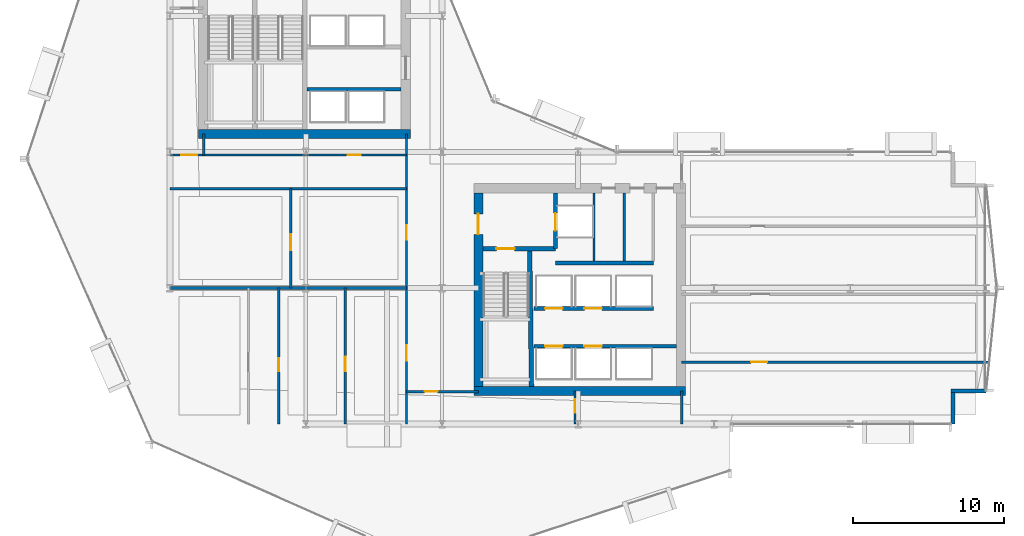
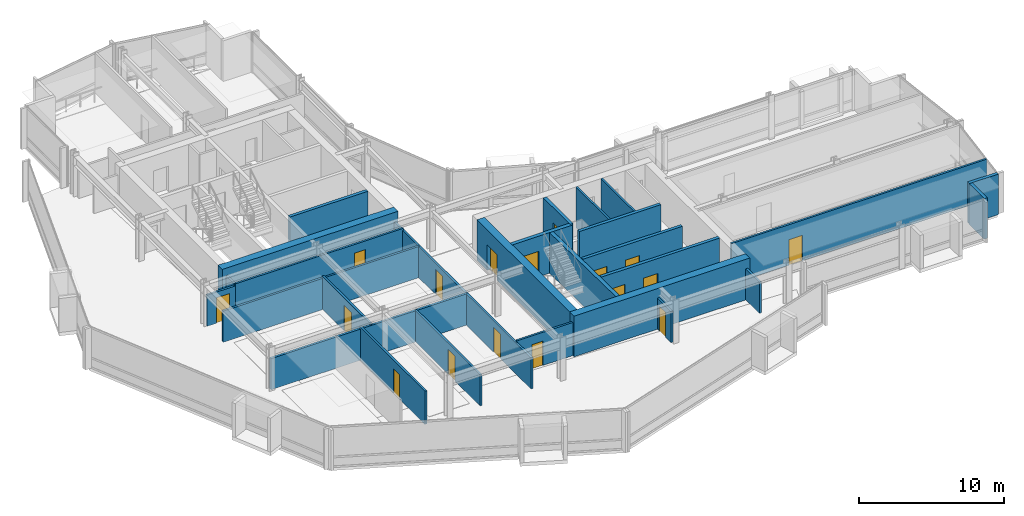
# One storey, part 27 of 34: 27 walls, 17 doors, 17 openings.
"""IFC4 building model written with IfcOpenShell, lengths in metres."""

from ifc_helpers import new_model, si_unit, direction, frame, frame_2d, origin, place, context, subcontext, project, spatial, rectangle, extrude, material, layer, layer_set, type_object, element, fill, save


model = new_model("IFC4")

# Units and contexts
model_context = context("Model", 3, precision=1e-05, world=origin(), true_north=direction((0.0, 1.0)))
body_context = subcontext(model_context, "Body", "Model", "MODEL_VIEW")
ifc_project = project(units=[si_unit("LENGTHUNIT", "METRE"), si_unit("AREAUNIT", "SQUARE_METRE"), si_unit("VOLUMEUNIT", "CUBIC_METRE"), si_unit("PLANEANGLEUNIT", "RADIAN"), si_unit("MASSUNIT", "GRAM", prefix="KILO")], contexts=[model_context])

# Site, building, storey
site_placement = place(None, origin())
site = spatial("IfcSite", under=ifc_project, at=site_placement, CompositionType="ELEMENT")
building_placement = place(site_placement, origin())
building = spatial("IfcBuilding", under=site, at=building_placement, Name="Solvaryn Broadcast Tower", CompositionType="ELEMENT")
storey_placement = place(building_placement, frame((0.0, 0.0, 47.10009765625)))
storey = spatial("IfcBuildingStorey", under=building, at=storey_placement, Name="L10", CompositionType="ELEMENT", Elevation=47.10009765625)

# Walls
ifc_material_1 = material(Name="Concrete f'c 70 MPa", Category="concrete")
ifc_layer_1 = layer(ifc_material_1, 0.60009765625)
ifc_layer_set_1 = layer_set([ifc_layer_1], Name="CW-SHEAR-600")
wall_type_1 = type_object("IfcWallType", Name="CW-SHEAR-600", PredefinedType="SHEAR", material=ifc_layer_set_1)
for number, where, z_axis, x_axis, name in (
    (1, (10.89990234375, 28.199951171875, 0.0), (0.0, 0.0, 1.0), (1.0, 0.0, 0.0), "L10 West Core South Shear Wall"),
    (2, (29.10009765625, 11.199951171875, 0.0), (0.0, 0.0, 1.0), (1.0, 0.0, 0.0), "L10 East Core South Shear Wall"),
):
    element("IfcWall", number, at=place(storey_placement, frame(where, z_axis=z_axis, x_axis=x_axis)), inside=storey, type_object=wall_type_1, Name=name, PredefinedType="SHEAR", context=body_context, shape_type="SweptSolid", body=[
        extrude(rectangle(XDim=14.0, YDim=0.60009765625, at=frame_2d((7.0, 0.0))), origin(), (0.0, 0.0, 1.0), 3.419921875),
    ])

# Wall, opening, door
wall_1_placement = place(storey_placement, frame((29.39990234375, 24.300048828125, 0.0), z_axis=(0.0, 0.0, 1.0), x_axis=(0.0, -1.0, 0.0)))
wall_1 = element("IfcWall", 3, at=wall_1_placement, inside=storey, type_object=wall_type_1, Name="L10 East Core West Shear Wall", PredefinedType="SHEAR", context=body_context, shape_type="SweptSolid", body=[
    extrude(rectangle(XDim=12.800048828125, YDim=0.60009765625, at=frame_2d((6.39990234375, 0.0))), origin(), (0.0, 0.0, 1.0), 3.419921875),
])
opening_1_placement = place(wall_1_placement, frame((1.39990234375, 0.0, 0.0)))
opening_1 = element("IfcOpeningElement", 4, at=opening_1_placement, cuts=wall_1, Name="Opening FD90B", PredefinedType="OPENING", context=body_context, shape_type="SweptSolid", body=[
    extrude(rectangle(XDim=1.35009765625, YDim=2.14990234375, at=frame_2d((0.675048828125, 1.074951171875))), frame((0.0, 0.31005859375, 0.0), z_axis=(0.0, -1.0, 0.0), x_axis=(1.0, 0.0, 0.0)), (0.0, 0.0, 1.0), 0.6201171875),
])
ifc_material_2 = material(Name="Flush Acoustic Steel and Timber Door Assembly", Category="steel")
door_type_1 = type_object("IfcDoorType", Name="FD90-LOBBY-1350X2150", OperationType="NOTDEFINED", PredefinedType="DOOR", material=ifc_material_2)
door_1_placement = place(opening_1_placement, origin())
door_1 = element("IfcDoor", 5, at=door_1_placement, inside=storey, type_object=door_type_1, Name="L10 East FSAE Lobby Door", OperationType="SINGLE_SWING_RIGHT", OverallHeight=2.14990234375, OverallWidth=1.35009765625, PredefinedType="DOOR", context=body_context, shape_type="SweptSolid", body=[
    extrude(rectangle(XDim=1.35009765625, YDim=2.14990234375, at=frame_2d((0.675048828125, 1.074951171875))), frame((0.0, 0.02490234375, 0.0), z_axis=(0.0, -1.0, 0.0), x_axis=(1.0, 0.0, 0.0)), (0.0, 0.0, 1.0), 0.050048828125),
])
fill(opening_1, door_1)

# Walls
ifc_material_3 = material(Name="Concrete f'c 50 MPa", Category="concrete")
ifc_layer_2 = layer(ifc_material_3, 0.260009765625)
ifc_layer_set_2 = layer_set([ifc_layer_2], Name="EW-PIER-260")
wall_type_2 = type_object("IfcWallType", Name="EW-PIER-260", PredefinedType="SOLIDWALL", material=ifc_layer_set_2)
wall_2_placement = place(storey_placement, frame((60.800048828125, 9.0, 0.0), z_axis=(0.0, 0.0, 1.0), x_axis=(0.0, 1.0, 0.0)))
element("IfcWall", 6, at=wall_2_placement, inside=storey, type_object=wall_type_2, Name="L10 Notched Corner Pier Wall NSE1", PredefinedType="SOLIDWALL", context=body_context, shape_type="SweptSolid", body=[
    extrude(rectangle(XDim=2.080078125, YDim=0.260009765625, at=frame_2d((1.0400390625, 0.0))), origin(), (0.0, 0.0, 1.0), 3.419921875),
])
wall_3_placement = place(storey_placement, frame((60.679931640625, 11.199951171875, 0.0), z_axis=(0.0, 0.0, 1.0), x_axis=(1.0, 0.0, 0.0)))
element("IfcWall", 7, at=wall_3_placement, inside=storey, type_object=wall_type_2, Name="L10 Notched Corner Pier Wall NSE2", PredefinedType="SOLIDWALL", context=body_context, shape_type="SweptSolid", body=[
    extrude(rectangle(XDim=2.320068359375, YDim=0.260009765625, at=frame_2d((1.16015625, 0.0))), origin(), (0.0, 0.0, 1.0), 3.419921875),
])
ifc_material_4 = material(Name="Metal-Stud Service Core Partition")
ifc_layer_3 = layer(ifc_material_4, 0.14990234375)
ifc_layer_set_3 = layer_set([ifc_layer_3], Name="IW-PART-150")
wall_type_3 = type_object("IfcWallType", Name="IW-PART-150", PredefinedType="PARTITIONING", material=ifc_layer_set_3)
for number, where, z_axis, x_axis, name in (
    (8, (37.050048828125, 19.780029296875, 0.0), (0.0, 0.0, 1.0), (0.0, 1.0, 0.0), "L10 Interior Partition IW-L10-CE-FL2E"),
    (9, (39.050048828125, 19.780029296875, 0.0), (0.0, 0.0, 1.0), (0.0, 1.0, 0.0), "L10 Interior Partition IW-L10-CE-V1"),
):
    element("IfcWall", number, at=place(storey_placement, frame(where, z_axis=z_axis, x_axis=x_axis)), inside=storey, type_object=wall_type_3, Name=name, PredefinedType="PARTITIONING", context=body_context, shape_type="SweptSolid", body=[
        extrude(rectangle(XDim=4.52001953125, YDim=0.14990234375, at=frame_2d((2.260009765625, 0.0))), origin(), (0.0, 0.0, 1.0), 3.419921875),
    ])

# Wall, opening, door
wall_4_placement = place(storey_placement, frame((35.800048828125, 9.0, 0.0), z_axis=(0.0, 0.0, 1.0), x_axis=(0.0, 1.0, 0.0)))
wall_4 = element("IfcWall", 10, at=wall_4_placement, inside=storey, type_object=wall_type_3, Name="L10 Interior Partition IW-L10-SC-V", PredefinedType="PARTITIONING", context=body_context, shape_type="SweptSolid", body=[
    extrude(rectangle(XDim=2.199951171875, YDim=0.14990234375, at=frame_2d((1.10009765625, 0.0))), origin(), (0.0, 0.0, 1.0), 2.626953125),
])
opening_2_placement = place(wall_4_placement, frame((0.75, 0.0, 0.0)))
opening_2 = element("IfcOpeningElement", 11, at=opening_2_placement, cuts=wall_4, Name="Opening FD60C", PredefinedType="OPENING", context=body_context, shape_type="SweptSolid", body=[
    extrude(rectangle(XDim=0.89990234375, YDim=2.10009765625, at=frame_2d((0.449951171875, 1.050048828125))), frame((0.0, 0.0849609375, 0.0), z_axis=(0.0, -1.0, 0.0), x_axis=(1.0, 0.0, 0.0)), (0.0, 0.0, 1.0), 0.169921875),
])
ifc_material_5 = material(Name="Flush Acoustic Steel and Timber Door Assembly", Category="steel")
door_type_2 = type_object("IfcDoorType", Name="FD60-SERV-900X2100", OperationType="NOTDEFINED", PredefinedType="DOOR", material=ifc_material_5)
door_2_placement = place(opening_2_placement, origin())
door_2 = element("IfcDoor", 12, at=door_2_placement, inside=storey, type_object=door_type_2, Name="L10 Door DR-L10-SC1", OperationType="SINGLE_SWING_RIGHT", OverallHeight=2.10009765625, OverallWidth=0.89990234375, PredefinedType="DOOR", context=body_context, shape_type="SweptSolid", body=[
    extrude(rectangle(XDim=0.89990234375, YDim=2.10009765625, at=frame_2d((0.449951171875, 1.050048828125))), frame((0.0, 0.02490234375, 0.0), z_axis=(0.0, -1.0, 0.0), x_axis=(1.0, 0.0, 0.0)), (0.0, 0.0, 1.0), 0.050048828125),
])
fill(opening_2, door_2)

ifc_material_6 = material(Name="Metal-Stud Gypsum Office Partition")
ifc_layer_4 = layer(ifc_material_6, 0.159912109375)
ifc_layer_set_4 = layer_set([ifc_layer_4], Name="IW-PART-160")
wall_type_4 = type_object("IfcWallType", Name="IW-PART-160", PredefinedType="PARTITIONING", material=ifc_layer_set_4)
wall_5_placement = place(storey_placement, frame((9.0, 26.800048828125, 0.0), z_axis=(0.0, 0.0, 1.0), x_axis=(1.0, 0.0, 0.0)))
wall_5 = element("IfcWall", 13, at=wall_5_placement, inside=storey, type_object=wall_type_4, Name="L10 Interior Partition IW-L10-WM-S", PredefinedType="PARTITIONING", context=body_context, shape_type="SweptSolid", body=[
    extrude(rectangle(XDim=2.25, YDim=0.159912109375, at=frame_2d((1.125, 0.0))), origin(), (0.0, 0.0, 1.0), 2.626953125),
])
opening_3_placement = place(wall_5_placement, frame((0.75, 0.0, 0.0)))
opening_3 = element("IfcOpeningElement", 14, at=opening_3_placement, cuts=wall_5, Name="Opening ID03", PredefinedType="OPENING", context=body_context, shape_type="SweptSolid", body=[
    extrude(rectangle(XDim=1.050048828125, YDim=2.14990234375, at=frame_2d((0.52490234375, 1.074951171875))), frame((0.0, 0.090087890625, 0.0), z_axis=(0.0, -1.0, 0.0), x_axis=(1.0, 0.0, 0.0)), (0.0, 0.0, 1.0), 0.179931640625),
])
ifc_material_7 = material(Name="Flush Acoustic Steel and Timber Door Assembly", Category="steel")
door_type_3 = type_object("IfcDoorType", Name="ID-03-1050X2150", OperationType="NOTDEFINED", PredefinedType="DOOR", material=ifc_material_7)
door_3_placement = place(opening_3_placement, origin())
door_3 = element("IfcDoor", 15, at=door_3_placement, inside=storey, type_object=door_type_3, Name="L10 Door DR-L10-WM0", OperationType="SINGLE_SWING_LEFT", OverallHeight=2.14990234375, OverallWidth=1.050048828125, PredefinedType="DOOR", context=body_context, shape_type="SweptSolid", body=[
    extrude(rectangle(XDim=1.050048828125, YDim=2.14990234375, at=frame_2d((0.52490234375, 1.074951171875))), frame((0.0, 0.02490234375, 0.0), z_axis=(0.0, -1.0, 0.0), x_axis=(1.0, 0.0, 0.0)), (0.0, 0.0, 1.0), 0.050048828125),
])
fill(opening_3, door_3)

# Wall, openings, doors
wall_6_placement = place(storey_placement, frame((24.64990234375, 9.0, 0.0), z_axis=(0.0, 0.0, 1.0), x_axis=(0.0, 1.0, 0.0)))
wall_6 = element("IfcWall", 16, at=wall_6_placement, inside=storey, type_object=wall_type_4, Name="L10 Interior Partition IW-L10-SW-EB", PredefinedType="PARTITIONING", context=body_context, shape_type="SweptSolid", body=[
    extrude(rectangle(XDim=19.199951171875, YDim=0.159912109375, at=frame_2d((9.60009765625, 0.0))), origin(), (0.0, 0.0, 1.0), 2.626953125),
])
opening_4_placement = place(wall_6_placement, frame((12.199951171875, 0.0, 0.0)))
opening_4 = element("IfcOpeningElement", 17, at=opening_4_placement, cuts=wall_6, Name="Opening ID01", PredefinedType="OPENING", context=body_context, shape_type="SweptSolid", body=[
    extrude(rectangle(XDim=0.949951171875, YDim=2.10009765625, at=frame_2d((0.47509765625, 1.050048828125))), frame((0.0, 0.090087890625, 0.0), z_axis=(0.0, -1.0, 0.0), x_axis=(1.0, 0.0, 0.0)), (0.0, 0.0, 1.0), 0.179931640625),
])
opening_5_placement = place(wall_6_placement, frame((4.199951171875, 0.0, 0.0)))
opening_5 = element("IfcOpeningElement", 18, at=opening_5_placement, cuts=wall_6, Name="Opening ID02", PredefinedType="OPENING", context=body_context, shape_type="SweptSolid", body=[
    extrude(rectangle(XDim=1.0, YDim=2.10009765625, at=frame_2d((0.5, 1.050048828125))), frame((0.0, 0.090087890625, 0.0), z_axis=(0.0, -1.0, 0.0), x_axis=(1.0, 0.0, 0.0)), (0.0, 0.0, 1.0), 0.179931640625),
])
ifc_material_8 = material(Name="Flush Acoustic Steel and Timber Door Assembly", Category="steel")
door_type_4 = type_object("IfcDoorType", Name="ID-01-950X2100", OperationType="NOTDEFINED", PredefinedType="DOOR", material=ifc_material_8)
door_4_placement = place(opening_4_placement, origin())
door_4 = element("IfcDoor", 19, at=door_4_placement, inside=storey, type_object=door_type_4, Name="L10 Door DR-L10-SW-EN", OperationType="SINGLE_SWING_RIGHT", OverallHeight=2.10009765625, OverallWidth=0.949951171875, PredefinedType="DOOR", context=body_context, shape_type="SweptSolid", body=[
    extrude(rectangle(XDim=0.949951171875, YDim=2.10009765625, at=frame_2d((0.47509765625, 1.050048828125))), frame((0.0, 0.02490234375, 0.0), z_axis=(0.0, -1.0, 0.0), x_axis=(1.0, 0.0, 0.0)), (0.0, 0.0, 1.0), 0.050048828125),
])
fill(opening_4, door_4)
ifc_material_9 = material(Name="Flush Acoustic Steel and Timber Door Assembly", Category="steel")
door_type_5 = type_object("IfcDoorType", Name="ID-02-1000X2100", OperationType="NOTDEFINED", PredefinedType="DOOR", material=ifc_material_9)
door_5_placement = place(opening_5_placement, origin())
door_5 = element("IfcDoor", 20, at=door_5_placement, inside=storey, type_object=door_type_5, Name="L10 Door DR-L10-SW-ES", OperationType="SINGLE_SWING_LEFT", OverallHeight=2.10009765625, OverallWidth=1.0, PredefinedType="DOOR", context=body_context, shape_type="SweptSolid", body=[
    extrude(rectangle(XDim=1.0, YDim=2.10009765625, at=frame_2d((0.5, 1.050048828125))), frame((0.0, 0.02490234375, 0.0), z_axis=(0.0, -1.0, 0.0), x_axis=(1.0, 0.0, 0.0)), (0.0, 0.0, 1.0), 0.050048828125),
])
fill(opening_5, door_5)

# Wall
wall_7_placement = place(storey_placement, frame((9.0, 24.580078125, 0.0), z_axis=(0.0, 0.0, 1.0), x_axis=(1.0, 0.0, 0.0)))
element("IfcWall", 21, at=wall_7_placement, inside=storey, type_object=wall_type_4, Name="L10 Interior Partition IW-L10-SW-NB", PredefinedType="PARTITIONING", context=body_context, shape_type="SweptSolid", body=[
    extrude(rectangle(XDim=15.64990234375, YDim=0.159912109375, at=frame_2d((7.824951171875, 0.0))), origin(), (0.0, 0.0, 1.0), 2.626953125),
])

# Wall, opening, door
wall_8_placement = place(storey_placement, frame((11.25, 26.800048828125, 0.0), z_axis=(0.0, 0.0, 1.0), x_axis=(1.0, 0.0, 0.0)))
wall_8 = element("IfcWall", 22, at=wall_8_placement, inside=storey, type_object=wall_type_4, Name="L10 Interior Partition IW-L10-SW-N2", PredefinedType="PARTITIONING", context=body_context, shape_type="SweptSolid", body=[
    extrude(rectangle(XDim=13.39990234375, YDim=0.159912109375, at=frame_2d((6.699951171875, 0.0))), origin(), (0.0, 0.0, 1.0), 2.788818359375),
])
opening_6_placement = place(wall_8_placement, frame((9.5, 0.0, 0.0)))
opening_6 = element("IfcOpeningElement", 23, at=opening_6_placement, cuts=wall_8, Name="Opening ID07", PredefinedType="OPENING", context=body_context, shape_type="SweptSolid", body=[
    extrude(rectangle(XDim=0.860107421875, YDim=2.050048828125, at=frame_2d((0.43017578125, 1.02490234375))), frame((0.0, 0.090087890625, 0.0), z_axis=(0.0, -1.0, 0.0), x_axis=(1.0, 0.0, 0.0)), (0.0, 0.0, 1.0), 0.179931640625),
])
ifc_material_10 = material(Name="Flush Acoustic Steel and Timber Door Assembly", Category="steel")
door_type_6 = type_object("IfcDoorType", Name="ID-07-860X2050", OperationType="NOTDEFINED", PredefinedType="DOOR", material=ifc_material_10)
door_6_placement = place(opening_6_placement, origin())
door_6 = element("IfcDoor", 24, at=door_6_placement, inside=storey, type_object=door_type_6, Name="L10 Door DR-L10-SW-ALC", OperationType="SINGLE_SWING_LEFT", OverallHeight=2.050048828125, OverallWidth=0.860107421875, PredefinedType="DOOR", context=body_context, shape_type="SweptSolid", body=[
    extrude(rectangle(XDim=0.860107421875, YDim=2.050048828125, at=frame_2d((0.43017578125, 1.02490234375))), frame((0.0, 0.02490234375, 0.0), z_axis=(0.0, -1.0, 0.0), x_axis=(1.0, 0.0, 0.0)), (0.0, 0.0, 1.0), 0.050048828125),
])
fill(opening_6, door_6)

# Wall
wall_9_placement = place(storey_placement, frame((11.25, 26.800048828125, 0.0), z_axis=(0.0, 0.0, 1.0), x_axis=(0.0, 1.0, 0.0)))
element("IfcWall", 25, at=wall_9_placement, inside=storey, type_object=wall_type_4, Name="L10 Interior Partition IW-L10-SW-ALW", PredefinedType="PARTITIONING", context=body_context, shape_type="SweptSolid", body=[
    extrude(rectangle(XDim=1.39990234375, YDim=0.159912109375, at=frame_2d((0.699951171875, 0.0))), origin(), (0.0, 0.0, 1.0), 2.788818359375),
])

# Wall, opening, door
wall_10_placement = place(storey_placement, frame((17.0, 18.0, 0.0), z_axis=(0.0, 0.0, 1.0), x_axis=(0.0, 1.0, 0.0)))
wall_10 = element("IfcWall", 26, at=wall_10_placement, inside=storey, type_object=wall_type_4, Name="L10 Interior Partition IW-L10-SWN-V1", PredefinedType="PARTITIONING", context=body_context, shape_type="SweptSolid", body=[
    extrude(rectangle(XDim=6.580078125, YDim=0.159912109375, at=frame_2d((3.2900390625, 0.0))), origin(), (0.0, 0.0, 1.0), 2.788818359375),
])
opening_7_placement = place(wall_10_placement, frame((2.5, 0.0, 0.0)))
opening_7 = element("IfcOpeningElement", 27, at=opening_7_placement, cuts=wall_10, Name="Opening ID03", PredefinedType="OPENING", context=body_context, shape_type="SweptSolid", body=[
    extrude(rectangle(XDim=1.050048828125, YDim=2.14990234375, at=frame_2d((0.52490234375, 1.074951171875))), frame((0.0, 0.090087890625, 0.0), z_axis=(0.0, -1.0, 0.0), x_axis=(1.0, 0.0, 0.0)), (0.0, 0.0, 1.0), 0.179931640625),
])
door_7_placement = place(opening_7_placement, origin())
door_7 = element("IfcDoor", 28, at=door_7_placement, inside=storey, type_object=door_type_3, Name="L10 Door DR-L10-SWN-1", OperationType="SINGLE_SWING_RIGHT", OverallHeight=2.14990234375, OverallWidth=1.050048828125, PredefinedType="DOOR", context=body_context, shape_type="SweptSolid", body=[
    extrude(rectangle(XDim=1.050048828125, YDim=2.14990234375, at=frame_2d((0.52490234375, 1.074951171875))), frame((0.0, 0.02490234375, 0.0), z_axis=(0.0, -1.0, 0.0), x_axis=(1.0, 0.0, 0.0)), (0.0, 0.0, 1.0), 0.050048828125),
])
fill(opening_7, door_7)

wall_11_placement = place(storey_placement, frame((16.199951171875, 9.0, 0.0), z_axis=(0.0, 0.0, 1.0), x_axis=(0.0, 1.0, 0.0)))
wall_11 = element("IfcWall", 29, at=wall_11_placement, inside=storey, type_object=wall_type_4, Name="L10 Interior Partition IW-L10-SWS-V2", PredefinedType="PARTITIONING", context=body_context, shape_type="SweptSolid", body=[
    extrude(rectangle(XDim=9.0, YDim=0.159912109375, at=frame_2d((4.5, 0.0))), origin(), (0.0, 0.0, 1.0), 2.788818359375),
])
opening_8_placement = place(wall_11_placement, frame((3.5, 0.0, 0.0)))
opening_8 = element("IfcOpeningElement", 30, at=opening_8_placement, cuts=wall_11, Name="Opening ID07", PredefinedType="OPENING", context=body_context, shape_type="SweptSolid", body=[
    extrude(rectangle(XDim=0.860107421875, YDim=2.050048828125, at=frame_2d((0.43017578125, 1.02490234375))), frame((0.0, 0.090087890625, 0.0), z_axis=(0.0, -1.0, 0.0), x_axis=(1.0, 0.0, 0.0)), (0.0, 0.0, 1.0), 0.179931640625),
])
door_8_placement = place(opening_8_placement, origin())
door_8 = element("IfcDoor", 31, at=door_8_placement, inside=storey, type_object=door_type_6, Name="L10 Door DR-L10-SWS-2", OperationType="SINGLE_SWING_RIGHT", OverallHeight=2.050048828125, OverallWidth=0.860107421875, PredefinedType="DOOR", context=body_context, shape_type="SweptSolid", body=[
    extrude(rectangle(XDim=0.860107421875, YDim=2.050048828125, at=frame_2d((0.43017578125, 1.02490234375))), frame((0.0, 0.02490234375, 0.0), z_axis=(0.0, -1.0, 0.0), x_axis=(1.0, 0.0, 0.0)), (0.0, 0.0, 1.0), 0.050048828125),
])
fill(opening_8, door_8)

wall_12_placement = place(storey_placement, frame((20.60009765625, 9.0, 0.0), z_axis=(0.0, 0.0, 1.0), x_axis=(0.0, 1.0, 0.0)))
wall_12 = element("IfcWall", 32, at=wall_12_placement, inside=storey, type_object=wall_type_4, Name="L10 Interior Partition IW-L10-SWS-V3", PredefinedType="PARTITIONING", context=body_context, shape_type="SweptSolid", body=[
    extrude(rectangle(XDim=9.0, YDim=0.159912109375, at=frame_2d((4.5, 0.0))), origin(), (0.0, 0.0, 1.0), 2.626953125),
])
opening_9_placement = place(wall_12_placement, frame((3.5, 0.0, 0.0)))
opening_9 = element("IfcOpeningElement", 33, at=opening_9_placement, cuts=wall_12, Name="Opening ID01", PredefinedType="OPENING", context=body_context, shape_type="SweptSolid", body=[
    extrude(rectangle(XDim=0.949951171875, YDim=2.10009765625, at=frame_2d((0.47509765625, 1.050048828125))), frame((0.0, 0.090087890625, 0.0), z_axis=(0.0, -1.0, 0.0), x_axis=(1.0, 0.0, 0.0)), (0.0, 0.0, 1.0), 0.179931640625),
])
door_9_placement = place(opening_9_placement, origin())
door_9 = element("IfcDoor", 34, at=door_9_placement, inside=storey, type_object=door_type_4, Name="L10 Door DR-L10-SWS-3", OperationType="SINGLE_SWING_LEFT", OverallHeight=2.10009765625, OverallWidth=0.949951171875, PredefinedType="DOOR", context=body_context, shape_type="SweptSolid", body=[
    extrude(rectangle(XDim=0.949951171875, YDim=2.10009765625, at=frame_2d((0.47509765625, 1.050048828125))), frame((0.0, 0.02490234375, 0.0), z_axis=(0.0, -1.0, 0.0), x_axis=(1.0, 0.0, 0.0)), (0.0, 0.0, 1.0), 0.050048828125),
])
fill(opening_9, door_9)

wall_13_placement = place(storey_placement, frame((24.64990234375, 11.14990234375, 0.0), z_axis=(0.0, 0.0, 1.0), x_axis=(1.0, 0.0, 0.0)))
wall_13 = element("IfcWall", 35, at=wall_13_placement, inside=storey, type_object=wall_type_4, Name="L10 Interior Partition IW-L10-SC-N", PredefinedType="PARTITIONING", context=body_context, shape_type="SweptSolid", body=[
    extrude(rectangle(XDim=4.75, YDim=0.159912109375, at=frame_2d((2.375, 0.0))), origin(), (0.0, 0.0, 1.0), 2.7919921875),
])
opening_10_placement = place(wall_13_placement, frame((1.199951171875, 0.0, 0.0)))
opening_10 = element("IfcOpeningElement", 36, at=opening_10_placement, cuts=wall_13, Name="Opening ID07", PredefinedType="OPENING", context=body_context, shape_type="SweptSolid", body=[
    extrude(rectangle(XDim=0.860107421875, YDim=2.050048828125, at=frame_2d((0.43017578125, 1.02490234375))), frame((0.0, 0.090087890625, 0.0), z_axis=(0.0, -1.0, 0.0), x_axis=(1.0, 0.0, 0.0)), (0.0, 0.0, 1.0), 0.179931640625),
])
door_10_placement = place(opening_10_placement, origin())
door_10 = element("IfcDoor", 37, at=door_10_placement, inside=storey, type_object=door_type_6, Name="L10 Door DR-L10-SC0", OperationType="SINGLE_SWING_LEFT", OverallHeight=2.050048828125, OverallWidth=0.860107421875, PredefinedType="DOOR", context=body_context, shape_type="SweptSolid", body=[
    extrude(rectangle(XDim=0.860107421875, YDim=2.050048828125, at=frame_2d((0.43017578125, 1.02490234375))), frame((0.0, 0.02490234375, 0.0), z_axis=(0.0, -1.0, 0.0), x_axis=(1.0, 0.0, 0.0)), (0.0, 0.0, 1.0), 0.050048828125),
])
fill(opening_10, door_10)

# Wall
wall_14_placement = place(storey_placement, frame((42.85009765625, 9.0, 0.0), z_axis=(0.0, 0.0, 1.0), x_axis=(0.0, 1.0, 0.0)))
element("IfcWall", 38, at=wall_14_placement, inside=storey, type_object=wall_type_4, Name="L10 Interior Partition IW-L10-SC-E", PredefinedType="PARTITIONING", context=body_context, shape_type="SweptSolid", body=[
    extrude(rectangle(XDim=2.199951171875, YDim=0.159912109375, at=frame_2d((1.10009765625, 0.0))), origin(), (0.0, 0.0, 1.0), 2.626953125),
])

# Wall, opening, door
wall_15_placement = place(storey_placement, frame((42.85009765625, 13.10009765625, 0.0), z_axis=(0.0, 0.0, 1.0), x_axis=(1.0, 0.0, 0.0)))
wall_15 = element("IfcWall", 39, at=wall_15_placement, inside=storey, type_object=wall_type_4, Name="L10 Interior Partition IW-L10-EW-H1", PredefinedType="PARTITIONING", context=body_context, shape_type="SweptSolid", body=[
    extrude(rectangle(XDim=20.345947265625, YDim=0.159912109375, at=frame_2d((10.1728515625, 0.0))), origin(), (0.0, 0.0, 1.0), 3.419921875),
])
opening_11_placement = place(wall_15_placement, frame((4.60009765625, 0.0, 0.0)))
opening_11 = element("IfcOpeningElement", 40, at=opening_11_placement, cuts=wall_15, Name="Opening ID03", PredefinedType="OPENING", context=body_context, shape_type="SweptSolid", body=[
    extrude(rectangle(XDim=1.050048828125, YDim=2.14990234375, at=frame_2d((0.52490234375, 1.074951171875))), frame((0.0, 0.090087890625, 0.0), z_axis=(0.0, -1.0, 0.0), x_axis=(1.0, 0.0, 0.0)), (0.0, 0.0, 1.0), 0.179931640625),
])
door_11_placement = place(opening_11_placement, origin())
door_11 = element("IfcDoor", 41, at=door_11_placement, inside=storey, type_object=door_type_3, Name="L10 Door DR-L10-EW-1", OperationType="SINGLE_SWING_RIGHT", OverallHeight=2.14990234375, OverallWidth=1.050048828125, PredefinedType="DOOR", context=body_context, shape_type="SweptSolid", body=[
    extrude(rectangle(XDim=1.050048828125, YDim=2.14990234375, at=frame_2d((0.52490234375, 1.074951171875))), frame((0.0, 0.02490234375, 0.0), z_axis=(0.0, -1.0, 0.0), x_axis=(1.0, 0.0, 0.0)), (0.0, 0.0, 1.0), 0.050048828125),
])
fill(opening_11, door_11)

# Walls
ifc_material_11 = material(Name="Acoustic Metal-Stud Gypsum Partition")
ifc_layer_5 = layer(ifc_material_11, 0.179931640625)
ifc_layer_set_5 = layer_set([ifc_layer_5], Name="IW-PART-180")
wall_type_5 = type_object("IfcWallType", Name="IW-PART-180", PredefinedType="PARTITIONING", material=ifc_layer_set_5)
wall_16_placement = place(storey_placement, frame((9.0, 18.0, 0.0), z_axis=(0.0, 0.0, 1.0), x_axis=(1.0, 0.0, 0.0)))
element("IfcWall", 42, at=wall_16_placement, inside=storey, type_object=wall_type_5, Name="L10 Interior Partition IW-L10-SW-HY", PredefinedType="PARTITIONING", context=body_context, shape_type="SweptSolid", body=[
    extrude(rectangle(XDim=15.64990234375, YDim=0.179931640625, at=frame_2d((7.824951171875, 0.0))), origin(), (0.0, 0.0, 1.0), 2.626953125),
])
ifc_material_12 = material(Name="Concrete f'c 60 MPa", Category="concrete")
ifc_layer_6 = layer(ifc_material_12, 0.25)
ifc_layer_set_6 = layer_set([ifc_layer_6], Name="SW-SHAFT-250")
wall_type_6 = type_object("IfcWallType", Name="SW-SHAFT-250", PredefinedType="PARTITIONING", material=ifc_layer_set_6)
wall_17_placement = place(storey_placement, frame((18.070068359375, 31.14990234375, 0.0), z_axis=(0.0, 0.0, 1.0), x_axis=(1.0, 0.0, 0.0)))
element("IfcWall", 43, at=wall_17_placement, inside=storey, type_object=wall_type_6, Name="L10 High-Rise Lift Bank South Wall", PredefinedType="PARTITIONING", context=body_context, shape_type="SweptSolid", body=[
    extrude(rectangle(XDim=6.22998046875, YDim=0.25, at=frame_2d((3.114990234375, 0.0))), origin(), (0.0, 0.0, 1.0), 3.419921875),
])

# Wall, opening, door
wall_18_placement = place(storey_placement, frame((34.5, 20.60009765625, 0.0), z_axis=(0.0, 0.0, 1.0), x_axis=(0.0, 1.0, 0.0)))
wall_18 = element("IfcWall", 44, at=wall_18_placement, inside=storey, type_object=wall_type_6, Name="L10 East FSAE Lobby East Wall", PredefinedType="PARTITIONING", context=body_context, shape_type="SweptSolid", body=[
    extrude(rectangle(XDim=3.699951171875, YDim=0.25, at=frame_2d((1.85009765625, 0.0))), origin(), (0.0, 0.0, 1.0), 3.419921875),
])
opening_12_placement = place(wall_18_placement, frame((1.199951171875, 0.0, 0.0)))
opening_12 = element("IfcOpeningElement", 45, at=opening_12_placement, cuts=wall_18, Name="Opening LD01", PredefinedType="OPENING", context=body_context, shape_type="SweptSolid", body=[
    extrude(rectangle(XDim=1.14990234375, YDim=2.14990234375, at=frame_2d((0.574951171875, 1.074951171875))), frame((0.0, 0.135009765625, 0.0), z_axis=(0.0, -1.0, 0.0), x_axis=(1.0, 0.0, 0.0)), (0.0, 0.0, 1.0), 0.27001953125),
])
ifc_material_13 = material(Name="Flush Acoustic Steel and Timber Door Assembly", Category="steel")
door_type_7 = type_object("IfcDoorType", Name="LD-LIFT-1150X2150", OperationType="NOTDEFINED", PredefinedType="DOOR", material=ifc_material_13)
door_12_placement = place(opening_12_placement, origin())
door_12 = element("IfcDoor", 46, at=door_12_placement, inside=storey, type_object=door_type_7, Name="L10 FL2 Lift Landing Door", OperationType="DOUBLE_DOOR_SLIDING", OverallHeight=2.14990234375, OverallWidth=1.14990234375, PredefinedType="DOOR", context=body_context, shape_type="SweptSolid", body=[
    extrude(rectangle(XDim=1.14990234375, YDim=2.14990234375, at=frame_2d((0.574951171875, 1.074951171875))), frame((0.0, 0.02490234375, 0.0), z_axis=(0.0, -1.0, 0.0), x_axis=(1.0, 0.0, 0.0)), (0.0, 0.0, 1.0), 0.050048828125),
])
fill(opening_12, door_12)

# Wall
wall_19_placement = place(storey_placement, frame((34.5, 19.64990234375, 0.0), z_axis=(0.0, 0.0, 1.0), x_axis=(1.0, 0.0, 0.0)))
element("IfcWall", 47, at=wall_19_placement, inside=storey, type_object=wall_type_6, Name="L10 East Core Restroom South Wall", PredefinedType="PARTITIONING", context=body_context, shape_type="SweptSolid", body=[
    extrude(rectangle(XDim=6.47998046875, YDim=0.25, at=frame_2d((3.239990234375, 0.0))), origin(), (0.0, 0.0, 1.0), 3.419921875),
])

# Wall, openings, doors
wall_20_placement = place(storey_placement, frame((33.070068359375, 14.14990234375, 0.0), z_axis=(0.0, 0.0, 1.0), x_axis=(1.0, 0.0, 0.0)))
wall_20 = element("IfcWall", 48, at=wall_20_placement, inside=storey, type_object=wall_type_6, Name="L10 East Lift Bank South Wall", PredefinedType="PARTITIONING", context=body_context, shape_type="SweptSolid", body=[
    extrude(rectangle(XDim=9.429931640625, YDim=0.25, at=frame_2d((4.71484375, 0.0))), origin(), (0.0, 0.0, 1.0), 3.419921875),
])
opening_13_placement = place(wall_20_placement, frame((0.7548828125, 0.0, 0.0)))
opening_13 = element("IfcOpeningElement", 49, at=opening_13_placement, cuts=wall_20, Name="Opening LD01", PredefinedType="OPENING", context=body_context, shape_type="SweptSolid", body=[
    extrude(rectangle(XDim=1.14990234375, YDim=2.14990234375, at=frame_2d((0.574951171875, 1.074951171875))), frame((0.0, 0.135009765625, 0.0), z_axis=(0.0, -1.0, 0.0), x_axis=(1.0, 0.0, 0.0)), (0.0, 0.0, 1.0), 0.27001953125),
])
opening_14_placement = place(wall_20_placement, frame((3.35498046875, 0.0, 0.0)))
opening_14 = element("IfcOpeningElement", 50, at=opening_14_placement, cuts=wall_20, Name="Opening LD01", PredefinedType="OPENING", context=body_context, shape_type="SweptSolid", body=[
    extrude(rectangle(XDim=1.14990234375, YDim=2.14990234375, at=frame_2d((0.574951171875, 1.074951171875))), frame((0.0, 0.135009765625, 0.0), z_axis=(0.0, -1.0, 0.0), x_axis=(1.0, 0.0, 0.0)), (0.0, 0.0, 1.0), 0.27001953125),
])
door_13_placement = place(opening_13_placement, origin())
door_13 = element("IfcDoor", 51, at=door_13_placement, inside=storey, type_object=door_type_7, Name="L10 PL1 Lift Landing Door", OperationType="DOUBLE_DOOR_SLIDING", OverallHeight=2.14990234375, OverallWidth=1.14990234375, PredefinedType="DOOR", context=body_context, shape_type="SweptSolid", body=[
    extrude(rectangle(XDim=1.14990234375, YDim=2.14990234375, at=frame_2d((0.574951171875, 1.074951171875))), frame((0.0, 0.02490234375, 0.0), z_axis=(0.0, -1.0, 0.0), x_axis=(1.0, 0.0, 0.0)), (0.0, 0.0, 1.0), 0.050048828125),
])
fill(opening_13, door_13)
door_14_placement = place(opening_14_placement, origin())
door_14 = element("IfcDoor", 52, at=door_14_placement, inside=storey, type_object=door_type_7, Name="L10 PL2 Lift Landing Door", OperationType="DOUBLE_DOOR_SLIDING", OverallHeight=2.14990234375, OverallWidth=1.14990234375, PredefinedType="DOOR", context=body_context, shape_type="SweptSolid", body=[
    extrude(rectangle(XDim=1.14990234375, YDim=2.14990234375, at=frame_2d((0.574951171875, 1.074951171875))), frame((0.0, 0.02490234375, 0.0), z_axis=(0.0, -1.0, 0.0), x_axis=(1.0, 0.0, 0.0)), (0.0, 0.0, 1.0), 0.050048828125),
])
fill(opening_14, door_14)

wall_21_placement = place(storey_placement, frame((40.97998046875, 16.64990234375, 0.0), z_axis=(0.0, 0.0, 1.0), x_axis=(-1.0, 0.0, 0.0)))
wall_21 = element("IfcWall", 53, at=wall_21_placement, inside=storey, type_object=wall_type_6, Name="L10 East Lift Bank North Wall", PredefinedType="PARTITIONING", context=body_context, shape_type="SweptSolid", body=[
    extrude(rectangle(XDim=7.909912109375, YDim=0.25, at=frame_2d((3.955078125, 0.0))), origin(), (0.0, 0.0, 1.0), 3.419921875),
])
opening_15_placement = place(wall_21_placement, frame((6.0048828125, 0.0, 0.0)))
opening_15 = element("IfcOpeningElement", 54, at=opening_15_placement, cuts=wall_21, Name="Opening LD01", PredefinedType="OPENING", context=body_context, shape_type="SweptSolid", body=[
    extrude(rectangle(XDim=1.14990234375, YDim=2.14990234375, at=frame_2d((0.574951171875, 1.074951171875))), frame((0.0, 0.135009765625, 0.0), z_axis=(0.0, -1.0, 0.0), x_axis=(1.0, 0.0, 0.0)), (0.0, 0.0, 1.0), 0.27001953125),
])
opening_16_placement = place(wall_21_placement, frame((3.405029296875, 0.0, 0.0)))
opening_16 = element("IfcOpeningElement", 55, at=opening_16_placement, cuts=wall_21, Name="Opening LD01", PredefinedType="OPENING", context=body_context, shape_type="SweptSolid", body=[
    extrude(rectangle(XDim=1.14990234375, YDim=2.14990234375, at=frame_2d((0.574951171875, 1.074951171875))), frame((0.0, 0.135009765625, 0.0), z_axis=(0.0, -1.0, 0.0), x_axis=(1.0, 0.0, 0.0)), (0.0, 0.0, 1.0), 0.27001953125),
])
door_15_placement = place(opening_15_placement, origin())
door_15 = element("IfcDoor", 56, at=door_15_placement, inside=storey, type_object=door_type_7, Name="L10 PL3 Lift Landing Door", OperationType="DOUBLE_DOOR_SLIDING", OverallHeight=2.14990234375, OverallWidth=1.14990234375, PredefinedType="DOOR", context=body_context, shape_type="SweptSolid", body=[
    extrude(rectangle(XDim=1.14990234375, YDim=2.14990234375, at=frame_2d((0.574951171875, 1.074951171875))), frame((0.0, 0.02490234375, 0.0), z_axis=(0.0, -1.0, 0.0), x_axis=(1.0, 0.0, 0.0)), (0.0, 0.0, 1.0), 0.050048828125),
])
fill(opening_15, door_15)
door_16_placement = place(opening_16_placement, origin())
door_16 = element("IfcDoor", 57, at=door_16_placement, inside=storey, type_object=door_type_7, Name="L10 PL4 Lift Landing Door", OperationType="DOUBLE_DOOR_SLIDING", OverallHeight=2.14990234375, OverallWidth=1.14990234375, PredefinedType="DOOR", context=body_context, shape_type="SweptSolid", body=[
    extrude(rectangle(XDim=1.14990234375, YDim=2.14990234375, at=frame_2d((0.574951171875, 1.074951171875))), frame((0.0, 0.02490234375, 0.0), z_axis=(0.0, -1.0, 0.0), x_axis=(1.0, 0.0, 0.0)), (0.0, 0.0, 1.0), 0.050048828125),
])
fill(opening_16, door_16)

# Wall
ifc_material_14 = material(Name="Concrete f'c 70 MPa", Category="concrete")
ifc_layer_7 = layer(ifc_material_14, 0.300048828125)
ifc_layer_set_7 = layer_set([ifc_layer_7], Name="SW-SHAFT-300")
wall_type_7 = type_object("IfcWallType", Name="SW-SHAFT-300", PredefinedType="SHEAR", material=ifc_layer_set_7)
wall_22_placement = place(storey_placement, frame((32.919921875, 11.5, 0.0), z_axis=(0.0, 0.0, 1.0), x_axis=(-0.013244407292, 0.999912288991, 0.0)))
element("IfcWall", 58, at=wall_22_placement, inside=storey, type_object=wall_type_7, Name="L10 Stair 3 East Shear Wall", PredefinedType="SHEAR", context=body_context, shape_type="SweptSolid", body=[
    extrude(rectangle(XDim=9.05078125, YDim=0.300048828125, at=frame_2d((4.525390625, 0.0))), origin(), (0.0, 0.0, 1.0), 3.419921875),
])

# Wall, opening, door
wall_23_placement = place(storey_placement, frame((34.5, 20.60009765625, 0.0), z_axis=(0.0, 0.0, 1.0), x_axis=(-1.0, 0.0, 0.0)))
wall_23 = element("IfcWall", 59, at=wall_23_placement, inside=storey, type_object=wall_type_7, Name="L10 East FSAE Lobby South Wall", PredefinedType="SHEAR", context=body_context, shape_type="SweptSolid", body=[
    extrude(rectangle(XDim=4.800048828125, YDim=0.300048828125, at=frame_2d((2.39990234375, 0.0))), origin(), (0.0, 0.0, 1.0), 3.419921875),
])
opening_17_placement = place(wall_23_placement, frame((2.699951171875, 0.0, 0.0)))
opening_17 = element("IfcOpeningElement", 60, at=opening_17_placement, cuts=wall_23, Name="Opening FD90A", PredefinedType="OPENING", context=body_context, shape_type="SweptSolid", body=[
    extrude(rectangle(XDim=1.199951171875, YDim=2.14990234375, at=frame_2d((0.60009765625, 1.074951171875))), frame((0.0, 0.159912109375, 0.0), z_axis=(0.0, -1.0, 0.0), x_axis=(1.0, 0.0, 0.0)), (0.0, 0.0, 1.0), 0.320068359375),
])
ifc_material_15 = material(Name="Flush Acoustic Steel and Timber Door Assembly", Category="steel")
door_type_8 = type_object("IfcDoorType", Name="FD90-STAIR-1200X2150", OperationType="NOTDEFINED", PredefinedType="DOOR", material=ifc_material_15)
door_17_placement = place(opening_17_placement, origin())
door_17 = element("IfcDoor", 61, at=door_17_placement, inside=storey, type_object=door_type_8, Name="L10 Stair 3 Fire Door", OperationType="SINGLE_SWING_LEFT", OverallHeight=2.14990234375, OverallWidth=1.199951171875, PredefinedType="DOOR", context=body_context, shape_type="SweptSolid", body=[
    extrude(rectangle(XDim=1.199951171875, YDim=2.14990234375, at=frame_2d((0.60009765625, 1.074951171875))), frame((0.0, 0.02490234375, 0.0), z_axis=(0.0, -1.0, 0.0), x_axis=(1.0, 0.0, 0.0)), (0.0, 0.0, 1.0), 0.050048828125),
])
fill(opening_17, door_17)

save(model, "model.ifc")
